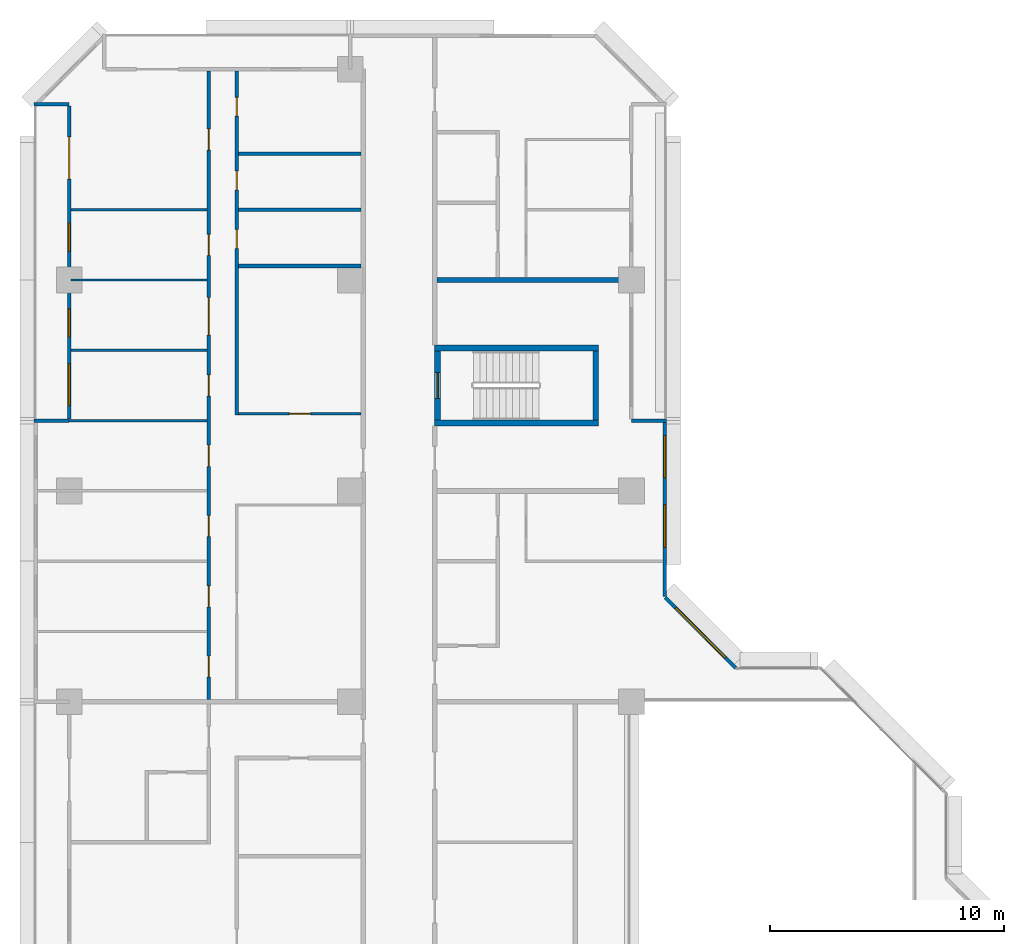
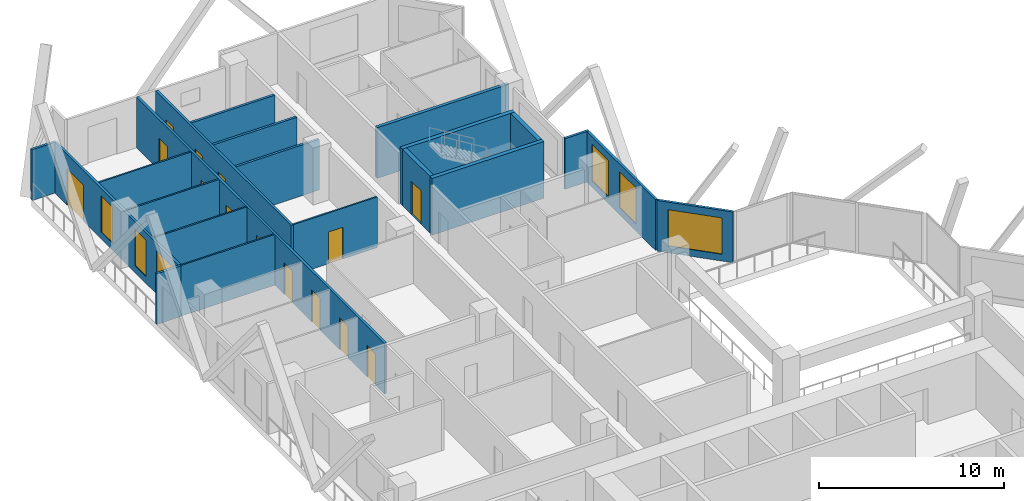
# One storey, part 9 of 15: 21 walls, 14 doors, 6 windows, 20 openings.
"""IFC4 building model written with IfcOpenShell, lengths in metres."""

import ifcopenshell
import ifcopenshell.guid

model = None  # the IFC model being written
_history = None  # IfcOwnerHistory: only IFC2X3 demands one
_inside = {}  # id of a spatial element -> (the spatial element, [elements in it])
_under = {}  # id of a project, library or spatial element -> (it, [spatial elements below it])
_declared = {}  # id of a project -> (the project, [libraries it declares])
_typed = {}  # id of a type object -> (the type object, [elements of that type])
_made_of = {}  # id of a material, layer set ... -> (it, [elements and type objects made of it])


def new_model(schema):
    """Start an empty IFC model of exactly this schema.

    Asked for "IFC4X3", IfcOpenShell would pick the latest addendum, in which some entities
    have other attributes; the version numbers below select the first issue.
    IFC2X3 requires an IfcOwnerHistory on every rooted entity: one is made here for all.
    """
    global model, _history
    if schema == "IFC4X3":
        model = ifcopenshell.file(schema_version=(4, 3, 0, 0))
    else:
        model = ifcopenshell.file(schema=schema)
    _inside.clear()
    _under.clear()
    _declared.clear()
    _typed.clear()
    _made_of.clear()
    _history = None
    if model.schema == "IFC2X3":
        org = make("IfcOrganization", Name="unknown")
        user = make(
            "IfcPersonAndOrganization",
            ThePerson=make("IfcPerson", FamilyName="unknown"),
            TheOrganization=org,
        )
        app = make(
            "IfcApplication",
            ApplicationDeveloper=org,
            Version="unknown",
            ApplicationFullName="unknown",
            ApplicationIdentifier="unknown",
        )
        _history = make(
            "IfcOwnerHistory",
            OwningUser=user,
            OwningApplication=app,
            ChangeAction="ADDED",
            CreationDate=0,
        )
    return model


def make(cls, **values):
    """One entity of the class cls with the attributes given. An attribute that is None is left unset."""
    return model.create_entity(
        cls, **{name: value for name, value in values.items() if value is not None}
    )


def rooted(cls, **values):
    """An entity with a GlobalId (a new one), such as an element, a storey or a relation."""
    return make(cls, GlobalId=ifcopenshell.guid.new(), OwnerHistory=_history, **values)


def si_unit(unit_type, name, prefix=None):
    """IfcSIUnit, for example si_unit("LENGTHUNIT", "METRE", prefix="MILLI")."""
    return make("IfcSIUnit", UnitType=unit_type, Prefix=prefix, Name=name)


def assignment(units):
    """IfcUnitAssignment: the units of a project."""
    return None if units is None else make("IfcUnitAssignment", Units=units)


def point(xyz):
    """IfcCartesianPoint."""
    return None if xyz is None else make("IfcCartesianPoint", Coordinates=xyz)


def direction(xyz):
    """IfcDirection."""
    return None if xyz is None else make("IfcDirection", DirectionRatios=xyz)


def frame(location, z_axis=None, x_axis=None):
    """IfcAxis2Placement3D, a coordinate frame: its origin and axes. An axis left out is left unset."""
    return make(
        "IfcAxis2Placement3D",
        Location=point(location),
        Axis=direction(z_axis),
        RefDirection=direction(x_axis),
    )


def frame_2d(location, x_axis=None):
    """IfcAxis2Placement2D, a coordinate frame in the plane: its origin and x axis."""
    return make(
        "IfcAxis2Placement2D", Location=point(location), RefDirection=direction(x_axis)
    )


def origin():
    """The frame at (0, 0, 0) with its axes left unset."""
    return frame((0.0, 0.0, 0.0))


def place(relative_to, where):
    """IfcLocalPlacement: puts the frame where relative to a parent placement (None: the world)."""
    return make(
        "IfcLocalPlacement", PlacementRelTo=relative_to, RelativePlacement=where
    )


def context(
    kind, dimensions, precision=None, world=None, true_north=None, identifier=None
):
    """IfcGeometricRepresentationContext, for example the 3D "Model" context."""
    return make(
        "IfcGeometricRepresentationContext",
        ContextIdentifier=identifier,
        ContextType=kind,
        CoordinateSpaceDimension=dimensions,
        Precision=precision,
        WorldCoordinateSystem=world,
        TrueNorth=true_north,
    )


def subcontext(parent, identifier, kind, view, scale=None):
    """IfcGeometricRepresentationSubContext, for example "Body" below "Model"."""
    return make(
        "IfcGeometricRepresentationSubContext",
        ContextIdentifier=identifier,
        ContextType=kind,
        ParentContext=parent,
        TargetScale=scale,
        TargetView=view,
    )


def project(units=None, contexts=None):
    """IfcProject with its units and contexts."""
    return rooted(
        "IfcProject",
        Name="project",
        RepresentationContexts=contexts,
        UnitsInContext=assignment(units),
    )


def spatial(cls, under=None, at=None, **own):
    """A site, building, storey or space (cls), placed at a placement, below another one or the project."""
    s = rooted(cls, ObjectPlacement=at, **own)
    if under is not None:
        _under.setdefault(under.id(), (under, []))[1].append(s)
    return s


def profile(cls, at=None, kind="AREA", **sizes):
    """A parametric profile (cls). Its sizes go by their IFC names, for example OverallWidth=200.0."""
    return make(cls, ProfileType=kind, Position=at, **sizes)


def rectangle(**sizes):
    """IfcRectangleProfileDef."""
    return profile("IfcRectangleProfileDef", **sizes)


def extrude(swept, where, along, depth):
    """IfcExtrudedAreaSolid: the profile swept, set in the frame where, extruded along a direction by depth."""
    return make(
        "IfcExtrudedAreaSolid",
        SweptArea=swept,
        Position=where,
        ExtrudedDirection=direction(along),
        Depth=depth,
    )


def shape(context_of_items, identifier, shape_type, items):
    """IfcShapeRepresentation: the items that make up one representation, for example the "Body"."""
    return make(
        "IfcShapeRepresentation",
        ContextOfItems=context_of_items,
        RepresentationIdentifier=identifier,
        RepresentationType=shape_type,
        Items=items,
    )


def material(Name=None, Category=None):
    """IfcMaterial."""
    return make("IfcMaterial", Name=Name, Category=Category)


def layer(
    of_material, thickness, ventilated=None, Name=None, Category=None, Priority=None
):
    """IfcMaterialLayer: one layer of a wall or slab, of a material (None: an air gap)."""
    return make(
        "IfcMaterialLayer",
        Material=of_material,
        LayerThickness=thickness,
        IsVentilated=ventilated,
        Name=Name,
        Category=Category,
        Priority=Priority,
    )


def layer_set(layers, Name=None):
    """IfcMaterialLayerSet."""
    return make("IfcMaterialLayerSet", MaterialLayers=layers, LayerSetName=Name)


def made_of(thing, what):
    """Note that an element or type object is made of a material, layer set ...; save() writes the relation."""
    if what is not None:
        _made_of.setdefault(what.id(), (what, []))[1].append(thing)
    return thing


def type_object(cls, material=None, **own):
    """A type object (cls), such as IfcWallType, which elements share."""
    return made_of(rooted(cls, **own), material)


def element(
    cls,
    number,
    at=None,
    inside=None,
    cuts=None,
    type_object=None,
    material=None,
    context=None,
    identifier="Body",
    shape_type=None,
    held_by="IfcProductDefinitionShape",
    body=None,
    shapes=None,
    **own,
):
    """One element of the class cls, such as IfcWall. Its Tag is "e" and its number.

    at: its placement. inside: the storey or other place that contains it. cuts: it is an
    opening in that element (IfcRelVoidsElement). A single representation is given by context,
    identifier, shape_type and body (its items); several are given by shapes. held_by: the class
    of the entity that holds the representations. save() writes the other relations.
    """
    e = rooted(cls, Tag="e%d" % number, ObjectPlacement=at, **own)
    if body is not None:
        shapes = [shape(context, identifier, shape_type, body)]
    if shapes is not None:
        e.Representation = make(held_by, Representations=shapes)
    if inside is not None:
        _inside.setdefault(inside.id(), (inside, []))[1].append(e)
    if cuts is not None:
        rooted(
            "IfcRelVoidsElement", RelatingBuildingElement=cuts, RelatedOpeningElement=e
        )
    if type_object is not None:
        _typed.setdefault(type_object.id(), (type_object, []))[1].append(e)
    return made_of(e, material)


def fill(opening, filler):
    """IfcRelFillsElement: the door or window that sits in an opening."""
    return rooted(
        "IfcRelFillsElement",
        RelatingOpeningElement=opening,
        RelatedBuildingElement=filler,
    )


def aggregate(whole, parts):
    """IfcRelAggregates: a whole, such as a stair, and the parts it consists of."""
    return rooted("IfcRelAggregates", RelatingObject=whole, RelatedObjects=parts)


def save(model, path):
    """Write the relations noted so far, then the file.

    IfcRelAggregates (storeys below a building ...), IfcRelContainedInSpatialStructure (elements
    in a storey), IfcRelDefinesByType, IfcRelAssociatesMaterial and IfcRelDeclares: one each for
    every whole, place, type object, material and project.
    """
    for whole, parts in _under.values():
        aggregate(whole, parts)
    for where, things in _inside.values():
        rooted(
            "IfcRelContainedInSpatialStructure",
            RelatedElements=things,
            RelatingStructure=where,
        )
    for kind, things in _typed.values():
        rooted("IfcRelDefinesByType", RelatedObjects=things, RelatingType=kind)
    for what, things in _made_of.values():
        rooted("IfcRelAssociatesMaterial", RelatedObjects=things, RelatingMaterial=what)
    for by, libraries in _declared.values():
        rooted("IfcRelDeclares", RelatingContext=by, RelatedDefinitions=libraries)
    model.write(path)


model = new_model("IFC4")

# Units and contexts
model_context = context("Model", 3, precision=1e-05, world=origin(), true_north=direction((0.0, 1.0)))
body_context = subcontext(model_context, "Body", "Model", "MODEL_VIEW")
ifc_project = project(units=[si_unit("LENGTHUNIT", "METRE"), si_unit("AREAUNIT", "SQUARE_METRE"), si_unit("VOLUMEUNIT", "CUBIC_METRE"), si_unit("PLANEANGLEUNIT", "RADIAN"), si_unit("MASSUNIT", "GRAM", prefix="KILO")], contexts=[model_context])

# Site, building, storey
site_placement = place(None, origin())
site = spatial("IfcSite", under=ifc_project, at=site_placement, CompositionType="ELEMENT")
building_placement = place(site_placement, origin())
building = spatial("IfcBuilding", under=site, at=building_placement, Name="Chenar Terraces", CompositionType="ELEMENT")
storey_placement = place(building_placement, frame((0.0, 0.0, 63.89990234375)))
storey = spatial("IfcBuildingStorey", under=building, at=storey_placement, Name="L13", CompositionType="ELEMENT", Elevation=63.89990234375)

# Walls
ifc_material_1 = material(Name="Concrete C70/85", Category="concrete")
ifc_layer_1 = layer(ifc_material_1, 0.25)
ifc_layer_set_1 = layer_set([ifc_layer_1], Name="Concrete C70/85")
wall_type_1 = type_object("IfcWallType", Name="Core wall 250 Concrete C70/85", PredefinedType="SHEAR", material=ifc_layer_set_1)
for number, where, z_axis, x_axis, name in (
    (1, (15.60009765625, 47.89990234375, 0.0), (0.0, 0.0, 1.0), (1.0, 0.0, 0.0), "Core wall ST4_S L13"),
    (2, (15.60009765625, 51.10009765625, 0.0), (0.0, 0.0, 1.0), (1.0, 0.0, 0.0), "Core wall ST4_N L13"),
):
    element("IfcWall", number, at=place(storey_placement, frame(where, z_axis=z_axis, x_axis=x_axis)), inside=storey, type_object=wall_type_1, Name=name, PredefinedType="SHEAR", context=body_context, shape_type="SweptSolid", body=[
        extrude(rectangle(XDim=7.0, YDim=0.25, at=frame_2d((3.5, 0.0))), origin(), (0.0, 0.0, 1.0), 3.75),
    ])

# Wall, opening, door
wall_1_placement = place(storey_placement, frame((15.72509765625, 48.02490234375, 0.0), z_axis=(0.0, 0.0, 1.0), x_axis=(0.0, 1.0, 0.0)))
wall_1 = element("IfcWall", 3, at=wall_1_placement, inside=storey, type_object=wall_type_1, Name="Core wall ST4_W L13", PredefinedType="SHEAR", context=body_context, shape_type="SweptSolid", body=[
    extrude(rectangle(XDim=2.9501953125, YDim=0.25, at=frame_2d((1.47509765625, 0.0))), origin(), (0.0, 0.0, 1.0), 3.75),
])
opening_1_placement = place(wall_1_placement, frame((0.925048828125, 0.0, 0.0)))
opening_1 = element("IfcOpeningElement", 4, at=opening_1_placement, cuts=wall_1, Name="Opening DL13-C9", PredefinedType="OPENING", context=body_context, shape_type="SweptSolid", body=[
    extrude(rectangle(XDim=1.10009765625, YDim=2.199951171875, at=frame_2d((0.550048828125, 1.10009765625))), frame((0.0, 0.135009765625, 0.0), z_axis=(0.0, -1.0, 0.0), x_axis=(1.0, 0.0, 0.0)), (0.0, 0.0, 1.0), 0.27001953125),
])
ifc_material_2 = material(Name="Steel-framed fire-resisting door leaf", Category="steel")
door_type_1 = type_object("IfcDoorType", Name="Stair fire door FD60 1100 x 2200", OperationType="SINGLE_SWING_LEFT", PredefinedType="DOOR", material=ifc_material_2)
door_1_placement = place(opening_1_placement, frame((1.10009765625, 0.0, 0.0), z_axis=(0.0, 0.0, 1.0), x_axis=(-1.0, 0.0, 0.0)))
door_1 = element("IfcDoor", 5, at=door_1_placement, inside=storey, type_object=door_type_1, Name="Stair door DL13-C9", OperationType="SINGLE_SWING_RIGHT", OverallHeight=2.199951171875, OverallWidth=1.10009765625, PredefinedType="DOOR", context=body_context, shape_type="SweptSolid", body=[
    extrude(rectangle(XDim=1.10009765625, YDim=2.199951171875, at=frame_2d((0.550048828125, 1.10009765625))), frame((0.0, 0.02490234375, 0.0), z_axis=(0.0, -1.0, 0.0), x_axis=(1.0, 0.0, 0.0)), (0.0, 0.0, 1.0), 0.050048828125),
])
fill(opening_1, door_1)

# Wall
wall_2_placement = place(storey_placement, frame((22.47509765625, 48.02490234375, 0.0), z_axis=(0.0, 0.0, 1.0), x_axis=(0.0, 1.0, 0.0)))
element("IfcWall", 6, at=wall_2_placement, inside=storey, type_object=wall_type_1, Name="Core wall ST4_E L13", PredefinedType="SHEAR", context=body_context, shape_type="SweptSolid", body=[
    extrude(rectangle(XDim=2.9501953125, YDim=0.25, at=frame_2d((1.47509765625, 0.0))), origin(), (0.0, 0.0, 1.0), 3.75),
])

# Wall, openings, windows
ifc_material_3 = material(Name="Aluminium framed glazing", Category="aluminium")
ifc_layer_2 = layer(ifc_material_3, 0.14990234375)
ifc_layer_set_2 = layer_set([ifc_layer_2], Name="Aluminium framed glazing")
wall_type_2 = type_object("IfcWallType", Name="Glazed flush facade wall 150", PredefinedType="SOLIDWALL", material=ifc_layer_set_2)
wall_3_placement = place(storey_placement, frame((25.425048828125, 40.5, 0.0), z_axis=(0.0, 0.0, 1.0), x_axis=(0.0, 1.0, 0.0)))
wall_3 = element("IfcWall", 7, at=wall_3_placement, inside=storey, type_object=wall_type_2, Name="Glazed flush facade wall", PredefinedType="SOLIDWALL", context=body_context, shape_type="SweptSolid", body=[
    extrude(rectangle(XDim=7.425048828125, YDim=0.14990234375, at=frame_2d((3.71240234375, 0.0))), origin(), (0.0, 0.0, 1.0), 3.35009765625),
])
opening_2_placement = place(wall_3_placement, frame((2.10009765625, 0.0, 0.449951171875)))
opening_2 = element("IfcOpeningElement", 8, at=opening_2_placement, cuts=wall_3, Name="Opening W180x240", PredefinedType="OPENING", context=body_context, shape_type="SweptSolid", body=[
    extrude(rectangle(XDim=1.800048828125, YDim=2.39990234375, at=frame_2d((0.89990234375, 1.199951171875))), frame((0.0, 0.0849609375, 0.0), z_axis=(0.0, -1.0, 0.0), x_axis=(1.0, 0.0, 0.0)), (0.0, 0.0, 1.0), 0.169921875),
])
opening_3_placement = place(wall_3_placement, frame((5.0625, 0.0, 0.449951171875)))
opening_3 = element("IfcOpeningElement", 9, at=opening_3_placement, cuts=wall_3, Name="Opening W180x240", PredefinedType="OPENING", context=body_context, shape_type="SweptSolid", body=[
    extrude(rectangle(XDim=1.800048828125, YDim=2.39990234375, at=frame_2d((0.89990234375, 1.199951171875))), frame((0.0, 0.0849609375, 0.0), z_axis=(0.0, -1.0, 0.0), x_axis=(1.0, 0.0, 0.0)), (0.0, 0.0, 1.0), 0.169921875),
])
ifc_material_4 = material(Name="Low emissivity double glazing, aluminium frame", Category="aluminium")
window_type_1 = type_object("IfcWindowType", Name="Fixed light 1800 x 2400", PartitioningType="SINGLE_PANEL", PredefinedType="WINDOW", material=ifc_material_4)
window_1_placement = place(opening_2_placement, origin())
window_1 = element("IfcWindow", 10, at=window_1_placement, inside=storey, type_object=window_type_1, Name="Window", OverallHeight=2.39990234375, OverallWidth=1.800048828125, PartitioningType="SINGLE_PANEL", PredefinedType="WINDOW", context=body_context, shape_type="SweptSolid", body=[
    extrude(rectangle(XDim=1.800048828125, YDim=2.39990234375, at=frame_2d((0.89990234375, 1.199951171875))), frame((0.0, 0.030029296875, 0.0), z_axis=(0.0, -1.0, 0.0), x_axis=(1.0, 0.0, 0.0)), (0.0, 0.0, 1.0), 0.06005859375),
])
fill(opening_2, window_1)
window_2_placement = place(opening_3_placement, origin())
window_2 = element("IfcWindow", 11, at=window_2_placement, inside=storey, type_object=window_type_1, Name="Window", OverallHeight=2.39990234375, OverallWidth=1.800048828125, PartitioningType="SINGLE_PANEL", PredefinedType="WINDOW", context=body_context, shape_type="SweptSolid", body=[
    extrude(rectangle(XDim=1.800048828125, YDim=2.39990234375, at=frame_2d((0.89990234375, 1.199951171875))), frame((0.0, 0.030029296875, 0.0), z_axis=(0.0, -1.0, 0.0), x_axis=(1.0, 0.0, 0.0)), (0.0, 0.0, 1.0), 0.06005859375),
])
fill(opening_3, window_2)

# Wall, openings, windows, door
ifc_material_5 = material(Name="Aluminium framed glazing", Category="aluminium")
ifc_layer_3 = layer(ifc_material_5, 0.14990234375)
ifc_layer_set_3 = layer_set([ifc_layer_3], Name="Aluminium framed glazing")
wall_type_3 = type_object("IfcWallType", Name="Glazed loggia back wall 150", PredefinedType="SOLIDWALL", material=ifc_layer_set_3)
wall_4_placement = place(storey_placement, frame((0.0, 61.425048828125, 0.0), z_axis=(0.0, 0.0, 1.0), x_axis=(0.0, -1.0, 0.0)))
wall_4 = element("IfcWall", 12, at=wall_4_placement, inside=storey, type_object=wall_type_3, Name="Glazed loggia back wall", PredefinedType="SOLIDWALL", context=body_context, shape_type="SweptSolid", body=[
    extrude(rectangle(XDim=13.35009765625, YDim=0.14990234375, at=frame_2d((6.675048828125, 0.0))), origin(), (0.0, 0.0, 1.0), 3.35009765625),
])
opening_4_placement = place(wall_4_placement, frame((1.3125, 0.0, 0.0)))
opening_4 = element("IfcOpeningElement", 13, at=opening_4_placement, cuts=wall_4, Name="Opening DL13-G3", PredefinedType="OPENING", context=body_context, shape_type="SweptSolid", body=[
    extrude(rectangle(XDim=1.800048828125, YDim=2.39990234375, at=frame_2d((0.89990234375, 1.199951171875))), frame((0.0, 0.0849609375, 0.0), z_axis=(0.0, -1.0, 0.0), x_axis=(1.0, 0.0, 0.0)), (0.0, 0.0, 1.0), 0.169921875),
])
opening_5_placement = place(wall_4_placement, frame((5.0, 0.0, 0.449951171875)))
opening_5 = element("IfcOpeningElement", 14, at=opening_5_placement, cuts=wall_4, Name="Opening W120x240", PredefinedType="OPENING", context=body_context, shape_type="SweptSolid", body=[
    extrude(rectangle(XDim=1.199951171875, YDim=2.39990234375, at=frame_2d((0.60009765625, 1.199951171875))), frame((0.0, 0.0849609375, 0.0), z_axis=(0.0, -1.0, 0.0), x_axis=(1.0, 0.0, 0.0)), (0.0, 0.0, 1.0), 0.169921875),
])
opening_6_placement = place(wall_4_placement, frame((8.64990234375, 0.0, 0.449951171875)))
opening_6 = element("IfcOpeningElement", 15, at=opening_6_placement, cuts=wall_4, Name="Opening W120x240", PredefinedType="OPENING", context=body_context, shape_type="SweptSolid", body=[
    extrude(rectangle(XDim=1.199951171875, YDim=2.39990234375, at=frame_2d((0.60009765625, 1.199951171875))), frame((0.0, 0.0849609375, 0.0), z_axis=(0.0, -1.0, 0.0), x_axis=(1.0, 0.0, 0.0)), (0.0, 0.0, 1.0), 0.169921875),
])
opening_7_placement = place(wall_4_placement, frame((10.987548828125, 0.0, 0.449951171875)))
opening_7 = element("IfcOpeningElement", 16, at=opening_7_placement, cuts=wall_4, Name="Opening W180x240", PredefinedType="OPENING", context=body_context, shape_type="SweptSolid", body=[
    extrude(rectangle(XDim=1.800048828125, YDim=2.39990234375, at=frame_2d((0.89990234375, 1.199951171875))), frame((0.0, 0.0849609375, 0.0), z_axis=(0.0, -1.0, 0.0), x_axis=(1.0, 0.0, 0.0)), (0.0, 0.0, 1.0), 0.169921875),
])
ifc_material_6 = material(Name="Low emissivity double glazing, aluminium frame", Category="aluminium")
window_type_2 = type_object("IfcWindowType", Name="Fixed light 1200 x 2400", PartitioningType="SINGLE_PANEL", PredefinedType="WINDOW", material=ifc_material_6)
window_3_placement = place(opening_5_placement, origin())
window_3 = element("IfcWindow", 17, at=window_3_placement, inside=storey, type_object=window_type_2, Name="Window", OverallHeight=2.39990234375, OverallWidth=1.199951171875, PartitioningType="SINGLE_PANEL", PredefinedType="WINDOW", context=body_context, shape_type="SweptSolid", body=[
    extrude(rectangle(XDim=1.199951171875, YDim=2.39990234375, at=frame_2d((0.60009765625, 1.199951171875))), frame((0.0, 0.030029296875, 0.0), z_axis=(0.0, -1.0, 0.0), x_axis=(1.0, 0.0, 0.0)), (0.0, 0.0, 1.0), 0.06005859375),
])
fill(opening_5, window_3)
window_4_placement = place(opening_6_placement, origin())
window_4 = element("IfcWindow", 18, at=window_4_placement, inside=storey, type_object=window_type_2, Name="Window", OverallHeight=2.39990234375, OverallWidth=1.199951171875, PartitioningType="SINGLE_PANEL", PredefinedType="WINDOW", context=body_context, shape_type="SweptSolid", body=[
    extrude(rectangle(XDim=1.199951171875, YDim=2.39990234375, at=frame_2d((0.60009765625, 1.199951171875))), frame((0.0, 0.030029296875, 0.0), z_axis=(0.0, -1.0, 0.0), x_axis=(1.0, 0.0, 0.0)), (0.0, 0.0, 1.0), 0.06005859375),
])
fill(opening_6, window_4)
window_5_placement = place(opening_7_placement, origin())
window_5 = element("IfcWindow", 19, at=window_5_placement, inside=storey, type_object=window_type_1, Name="Window", OverallHeight=2.39990234375, OverallWidth=1.800048828125, PartitioningType="SINGLE_PANEL", PredefinedType="WINDOW", context=body_context, shape_type="SweptSolid", body=[
    extrude(rectangle(XDim=1.800048828125, YDim=2.39990234375, at=frame_2d((0.89990234375, 1.199951171875))), frame((0.0, 0.030029296875, 0.0), z_axis=(0.0, -1.0, 0.0), x_axis=(1.0, 0.0, 0.0)), (0.0, 0.0, 1.0), 0.06005859375),
])
fill(opening_7, window_5)
ifc_material_7 = material(Name="Low emissivity double glazing, aluminium frame", Category="aluminium")
door_type_2 = type_object("IfcDoorType", Name="Loggia glazed double door 1800 x 2400", OperationType="DOUBLE_DOOR_SINGLE_SWING", PredefinedType="DOOR", material=ifc_material_7)
door_2_placement = place(opening_4_placement, frame((1.800048828125, 0.0, 0.0), z_axis=(0.0, 0.0, 1.0), x_axis=(-1.0, 0.0, 0.0)))
door_2 = element("IfcDoor", 20, at=door_2_placement, inside=storey, type_object=door_type_2, Name="Loggia glazed door", OperationType="DOUBLE_DOOR_SINGLE_SWING", OverallHeight=2.39990234375, OverallWidth=1.800048828125, PredefinedType="DOOR", context=body_context, shape_type="SweptSolid", body=[
    extrude(rectangle(XDim=1.800048828125, YDim=2.39990234375, at=frame_2d((0.89990234375, 1.199951171875))), frame((0.0, 0.02490234375, 0.0), z_axis=(0.0, -1.0, 0.0), x_axis=(1.0, 0.0, 0.0)), (0.0, 0.0, 1.0), 0.050048828125),
])
fill(opening_4, door_2)

# Walls
ifc_material_8 = material(Name="Gypsum board on steel studs", Category="steel")
ifc_layer_4 = layer(ifc_material_8, 0.10009765625)
ifc_layer_set_4 = layer_set([ifc_layer_4], Name="Gypsum board on steel studs")
wall_type_4 = type_object("IfcWallType", Name="Gypsum partition 100", PredefinedType="PARTITIONING", material=ifc_layer_set_4)
wall_5_placement = place(storey_placement, frame((0.0, 48.0, 0.0), z_axis=(0.0, 0.0, 1.0), x_axis=(1.0, 0.0, 0.0)))
element("IfcWall", 21, at=wall_5_placement, inside=storey, type_object=wall_type_4, Name="Partition L13-007", PredefinedType="PARTITIONING", context=body_context, shape_type="SweptSolid", body=[
    extrude(rectangle(XDim=5.875, YDim=0.10009765625, at=frame_2d((2.9375, 0.0))), origin(), (0.0, 0.0, 1.0), 3.35009765625),
])
for number, where, z_axis, x_axis, name in (
    (22, (0.073974609375, 51.0, 0.0), (0.0, 0.0, 1.0), (1.0, 0.0, 0.0), "Partition L13-009"),
    (23, (0.073974609375, 54.0, 0.0), (0.0, 0.0, 1.0), (1.0, 0.0, 0.0), "Partition L13-010"),
    (24, (0.073974609375, 57.0, 0.0), (0.0, 0.0, 1.0), (1.0, 0.0, 0.0), "Partition L13-011"),
):
    element("IfcWall", number, at=place(storey_placement, frame(where, z_axis=z_axis, x_axis=x_axis)), inside=storey, type_object=wall_type_4, Name=name, PredefinedType="PARTITIONING", context=body_context, shape_type="SweptSolid", body=[
        extrude(rectangle(XDim=5.801025390625, YDim=0.10009765625, at=frame_2d((2.900390625, 0.0))), origin(), (0.0, 0.0, 1.0), 3.35009765625),
    ])

# Wall, opening, door
wall_6_placement = place(storey_placement, frame((7.22509765625, 48.300048828125, 0.0), z_axis=(0.0, 0.0, 1.0), x_axis=(1.0, 0.0, 0.0)))
wall_6 = element("IfcWall", 25, at=wall_6_placement, inside=storey, type_object=wall_type_4, Name="Partition L13-023", PredefinedType="PARTITIONING", context=body_context, shape_type="SweptSolid", body=[
    extrude(rectangle(XDim=5.224853515625, YDim=0.10009765625, at=frame_2d((2.6123046875, 0.0))), origin(), (0.0, 0.0, 1.0), 3.35009765625),
])
opening_8_placement = place(wall_6_placement, frame((2.175048828125, 0.0, 0.0)))
opening_8 = element("IfcOpeningElement", 26, at=opening_8_placement, cuts=wall_6, Name="Opening DL13-37", PredefinedType="OPENING", context=body_context, shape_type="SweptSolid", body=[
    extrude(rectangle(XDim=0.89990234375, YDim=2.10009765625, at=frame_2d((0.449951171875, 1.050048828125))), frame((0.0, 0.06005859375, 0.0), z_axis=(0.0, -1.0, 0.0), x_axis=(1.0, 0.0, 0.0)), (0.0, 0.0, 1.0), 0.1201171875),
])
ifc_material_9 = material(Name="Veneered timber door leaf", Category="wood")
door_type_3 = type_object("IfcDoorType", Name="Door 900 x 2100", OperationType="SINGLE_SWING_LEFT", PredefinedType="DOOR", material=ifc_material_9)
door_3_placement = place(opening_8_placement, origin())
door_3 = element("IfcDoor", 27, at=door_3_placement, inside=storey, type_object=door_type_3, Name="Door DL13-37", OperationType="SINGLE_SWING_RIGHT", OverallHeight=2.10009765625, OverallWidth=0.89990234375, PredefinedType="DOOR", context=body_context, shape_type="SweptSolid", body=[
    extrude(rectangle(XDim=0.89990234375, YDim=2.10009765625, at=frame_2d((0.449951171875, 1.050048828125))), frame((0.0, 0.02490234375, 0.0), z_axis=(0.0, -1.0, 0.0), x_axis=(1.0, 0.0, 0.0)), (0.0, 0.0, 1.0), 0.050048828125),
])
fill(opening_8, door_3)

# Walls
ifc_material_10 = material(Name="Terracotta cladding on insulated backing", Category="masonry")
ifc_layer_5 = layer(ifc_material_10, 0.14990234375)
ifc_layer_set_5 = layer_set([ifc_layer_5], Name="Terracotta cladding on insulated backing")
wall_type_5 = type_object("IfcWallType", Name="Loggia return wall 150", PredefinedType="SOLIDWALL", material=ifc_layer_set_5)
for number, where, z_axis, x_axis, name in (
    (28, (25.5, 48.0, 0.0), (0.0, 0.0, 1.0), (-1.0, 0.0, 0.0), "Loggia return wall"),
    (29, (-1.5, 61.5, 0.0), (0.0, 0.0, 1.0), (1.0, 0.0, 0.0), "Loggia return wall"),
    (30, (-1.5, 48.0, 0.0), (0.0, 0.0, 1.0), (1.0, 0.0, 0.0), "Loggia return wall"),
):
    element("IfcWall", number, at=place(storey_placement, frame(where, z_axis=z_axis, x_axis=x_axis)), inside=storey, type_object=wall_type_5, Name=name, PredefinedType="SOLIDWALL", context=body_context, shape_type="SweptSolid", body=[
        extrude(rectangle(XDim=1.5, YDim=0.14990234375, at=frame_2d((0.75, 0.0))), origin(), (0.0, 0.0, 1.0), 3.35009765625),
    ])

# Wall, opening, window
ifc_material_11 = material(Name="Terracotta cladding on insulated backing", Category="masonry")
ifc_layer_6 = layer(ifc_material_11, 0.14990234375)
ifc_layer_set_6 = layer_set([ifc_layer_6], Name="Terracotta cladding on insulated backing")
wall_type_6 = type_object("IfcWallType", Name="Terracotta rainscreen wall 150", PredefinedType="SOLIDWALL", material=ifc_layer_set_6)
wall_7_placement = place(storey_placement, frame((28.447021484375, 37.447021484375, 0.0), z_axis=(0.0, 0.0, 1.0), x_axis=(-0.707106781187, 0.707106781187, 0.0)))
wall_7 = element("IfcWall", 31, at=wall_7_placement, inside=storey, type_object=wall_type_6, Name="Terracotta rainscreen wall", PredefinedType="SOLIDWALL", context=body_context, shape_type="SweptSolid", body=[
    extrude(rectangle(XDim=4.24267578125, YDim=0.14990234375, at=frame_2d((2.121337890625, 0.0))), origin(), (0.0, 0.0, 1.0), 3.35009765625),
])
opening_9_placement = place(wall_7_placement, frame((0.621337890625, 0.0, 0.449951171875)))
opening_9 = element("IfcOpeningElement", 32, at=opening_9_placement, cuts=wall_7, Name="Opening W300x240", PredefinedType="OPENING", context=body_context, shape_type="SweptSolid", body=[
    extrude(rectangle(XDim=3.0, YDim=2.39990234375, at=frame_2d((1.5, 1.199951171875))), frame((0.0, 0.0849609375, 0.0), z_axis=(0.0, -1.0, 0.0), x_axis=(1.0, 0.0, 0.0)), (0.0, 0.0, 1.0), 0.169921875),
])
ifc_material_12 = material(Name="Low emissivity double glazing, aluminium frame", Category="aluminium")
window_type_3 = type_object("IfcWindowType", Name="Fixed light 3000 x 2400", PartitioningType="SINGLE_PANEL", PredefinedType="WINDOW", material=ifc_material_12)
window_6_placement = place(opening_9_placement, origin())
window_6 = element("IfcWindow", 33, at=window_6_placement, inside=storey, type_object=window_type_3, Name="Window", OverallHeight=2.39990234375, OverallWidth=3.0, PartitioningType="SINGLE_PANEL", PredefinedType="WINDOW", context=body_context, shape_type="SweptSolid", body=[
    extrude(rectangle(XDim=3.0, YDim=2.39990234375, at=frame_2d((1.5, 1.199951171875))), frame((0.0, 0.030029296875, 0.0), z_axis=(0.0, -1.0, 0.0), x_axis=(1.0, 0.0, 0.0)), (0.0, 0.0, 1.0), 0.06005859375),
])
fill(opening_9, window_6)

# Wall
ifc_material_13 = material(Name="Twin gypsum board on steel studs with mineral wool", Category="steel")
ifc_layer_7 = layer(ifc_material_13, 0.199951171875)
ifc_layer_set_7 = layer_set([ifc_layer_7], Name="Twin gypsum board on steel studs with mineral wool")
wall_type_7 = type_object("IfcWallType", Name="Unit demising wall 200", PredefinedType="PARTITIONING", material=ifc_layer_set_7)
wall_8_placement = place(storey_placement, frame((15.699951171875, 54.0, 0.0), z_axis=(0.0, 0.0, 1.0), x_axis=(1.0, 0.0, 0.0)))
element("IfcWall", 34, at=wall_8_placement, inside=storey, type_object=wall_type_7, Name="Partition L13-041", PredefinedType="PARTITIONING", context=body_context, shape_type="SweptSolid", body=[
    extrude(rectangle(XDim=8.22607421875, YDim=0.199951171875, at=frame_2d((4.113037109375, 0.0))), origin(), (0.0, 0.0, 1.0), 3.35009765625),
])

# Wall, openings, doors
ifc_material_14 = material(Name="Moisture-resistant gypsum board on steel studs", Category="steel")
ifc_layer_8 = layer(ifc_material_14, 0.14990234375)
ifc_layer_set_8 = layer_set([ifc_layer_8], Name="Moisture-resistant gypsum board on steel studs")
wall_type_8 = type_object("IfcWallType", Name="Wet-room partition 150", PredefinedType="PARTITIONING", material=ifc_layer_set_8)
wall_9_placement = place(storey_placement, frame((5.949951171875, 36.10009765625, 0.0), z_axis=(0.0, 0.0, 1.0), x_axis=(0.0, 1.0, 0.0)))
wall_9 = element("IfcWall", 35, at=wall_9_placement, inside=storey, type_object=wall_type_8, Name="Partition L13-016", PredefinedType="PARTITIONING", context=body_context, shape_type="SweptSolid", body=[
    extrude(rectangle(XDim=26.825927734375, YDim=0.14990234375, at=frame_2d((13.4130859375, 0.0))), origin(), (0.0, 0.0, 1.0), 3.35009765625),
])
opening_10_placement = place(wall_9_placement, frame((0.949951171875, 0.0, 0.0)))
opening_10 = element("IfcOpeningElement", 36, at=opening_10_placement, cuts=wall_9, Name="Opening DL13-30", PredefinedType="OPENING", context=body_context, shape_type="SweptSolid", body=[
    extrude(rectangle(XDim=0.89990234375, YDim=2.10009765625, at=frame_2d((0.449951171875, 1.050048828125))), frame((0.0, 0.0849609375, 0.0), z_axis=(0.0, -1.0, 0.0), x_axis=(1.0, 0.0, 0.0)), (0.0, 0.0, 1.0), 0.169921875),
])
opening_11_placement = place(wall_9_placement, frame((3.949951171875, 0.0, 0.0)))
opening_11 = element("IfcOpeningElement", 37, at=opening_11_placement, cuts=wall_9, Name="Opening DL13-31", PredefinedType="OPENING", context=body_context, shape_type="SweptSolid", body=[
    extrude(rectangle(XDim=0.89990234375, YDim=2.10009765625, at=frame_2d((0.449951171875, 1.050048828125))), frame((0.0, 0.0849609375, 0.0), z_axis=(0.0, -1.0, 0.0), x_axis=(1.0, 0.0, 0.0)), (0.0, 0.0, 1.0), 0.169921875),
])
opening_12_placement = place(wall_9_placement, frame((6.949951171875, 0.0, 0.0)))
opening_12 = element("IfcOpeningElement", 38, at=opening_12_placement, cuts=wall_9, Name="Opening DL13-32", PredefinedType="OPENING", context=body_context, shape_type="SweptSolid", body=[
    extrude(rectangle(XDim=0.89990234375, YDim=2.10009765625, at=frame_2d((0.449951171875, 1.050048828125))), frame((0.0, 0.0849609375, 0.0), z_axis=(0.0, -1.0, 0.0), x_axis=(1.0, 0.0, 0.0)), (0.0, 0.0, 1.0), 0.169921875),
])
opening_13_placement = place(wall_9_placement, frame((9.949951171875, 0.0, 0.0)))
opening_13 = element("IfcOpeningElement", 39, at=opening_13_placement, cuts=wall_9, Name="Opening DL13-33", PredefinedType="OPENING", context=body_context, shape_type="SweptSolid", body=[
    extrude(rectangle(XDim=0.89990234375, YDim=2.10009765625, at=frame_2d((0.449951171875, 1.050048828125))), frame((0.0, 0.0849609375, 0.0), z_axis=(0.0, -1.0, 0.0), x_axis=(1.0, 0.0, 0.0)), (0.0, 0.0, 1.0), 0.169921875),
])
opening_14_placement = place(wall_9_placement, frame((18.949951171875, 0.0, 0.0)))
opening_14 = element("IfcOpeningElement", 40, at=opening_14_placement, cuts=wall_9, Name="Opening DL13-34", PredefinedType="OPENING", context=body_context, shape_type="SweptSolid", body=[
    extrude(rectangle(XDim=0.89990234375, YDim=2.10009765625, at=frame_2d((0.449951171875, 1.050048828125))), frame((0.0, 0.0849609375, 0.0), z_axis=(0.0, -1.0, 0.0), x_axis=(1.0, 0.0, 0.0)), (0.0, 0.0, 1.0), 0.169921875),
])
opening_15_placement = place(wall_9_placement, frame((23.449951171875, 0.0, 0.0)))
opening_15 = element("IfcOpeningElement", 41, at=opening_15_placement, cuts=wall_9, Name="Opening DL13-39", PredefinedType="OPENING", context=body_context, shape_type="SweptSolid", body=[
    extrude(rectangle(XDim=0.89990234375, YDim=2.10009765625, at=frame_2d((0.449951171875, 1.050048828125))), frame((0.0, 0.0849609375, 0.0), z_axis=(0.0, -1.0, 0.0), x_axis=(1.0, 0.0, 0.0)), (0.0, 0.0, 1.0), 0.169921875),
])
opening_16_placement = place(wall_9_placement, frame((15.550048828125, 0.0, 0.0)))
opening_16 = element("IfcOpeningElement", 42, at=opening_16_placement, cuts=wall_9, Name="Opening DL13-40", PredefinedType="OPENING", context=body_context, shape_type="SweptSolid", body=[
    extrude(rectangle(XDim=1.60009765625, YDim=2.10009765625, at=frame_2d((0.800048828125, 1.050048828125))), frame((0.0, 0.0849609375, 0.0), z_axis=(0.0, -1.0, 0.0), x_axis=(1.0, 0.0, 0.0)), (0.0, 0.0, 1.0), 0.169921875),
])
opening_17_placement = place(wall_9_placement, frame((12.949951171875, 0.0, 0.0)))
opening_17 = element("IfcOpeningElement", 43, at=opening_17_placement, cuts=wall_9, Name="Opening DL13-41", PredefinedType="OPENING", context=body_context, shape_type="SweptSolid", body=[
    extrude(rectangle(XDim=0.89990234375, YDim=2.10009765625, at=frame_2d((0.449951171875, 1.050048828125))), frame((0.0, 0.0849609375, 0.0), z_axis=(0.0, -1.0, 0.0), x_axis=(1.0, 0.0, 0.0)), (0.0, 0.0, 1.0), 0.169921875),
])
door_4_placement = place(opening_10_placement, origin())
door_4 = element("IfcDoor", 44, at=door_4_placement, inside=storey, type_object=door_type_3, Name="Door DL13-30", OperationType="SINGLE_SWING_RIGHT", OverallHeight=2.10009765625, OverallWidth=0.89990234375, PredefinedType="DOOR", context=body_context, shape_type="SweptSolid", body=[
    extrude(rectangle(XDim=0.89990234375, YDim=2.10009765625, at=frame_2d((0.449951171875, 1.050048828125))), frame((0.0, 0.02490234375, 0.0), z_axis=(0.0, -1.0, 0.0), x_axis=(1.0, 0.0, 0.0)), (0.0, 0.0, 1.0), 0.050048828125),
])
fill(opening_10, door_4)
door_5_placement = place(opening_11_placement, origin())
door_5 = element("IfcDoor", 45, at=door_5_placement, inside=storey, type_object=door_type_3, Name="Door DL13-31", OperationType="SINGLE_SWING_RIGHT", OverallHeight=2.10009765625, OverallWidth=0.89990234375, PredefinedType="DOOR", context=body_context, shape_type="SweptSolid", body=[
    extrude(rectangle(XDim=0.89990234375, YDim=2.10009765625, at=frame_2d((0.449951171875, 1.050048828125))), frame((0.0, 0.02490234375, 0.0), z_axis=(0.0, -1.0, 0.0), x_axis=(1.0, 0.0, 0.0)), (0.0, 0.0, 1.0), 0.050048828125),
])
fill(opening_11, door_5)
door_6_placement = place(opening_12_placement, origin())
door_6 = element("IfcDoor", 46, at=door_6_placement, inside=storey, type_object=door_type_3, Name="Door DL13-32", OperationType="SINGLE_SWING_RIGHT", OverallHeight=2.10009765625, OverallWidth=0.89990234375, PredefinedType="DOOR", context=body_context, shape_type="SweptSolid", body=[
    extrude(rectangle(XDim=0.89990234375, YDim=2.10009765625, at=frame_2d((0.449951171875, 1.050048828125))), frame((0.0, 0.02490234375, 0.0), z_axis=(0.0, -1.0, 0.0), x_axis=(1.0, 0.0, 0.0)), (0.0, 0.0, 1.0), 0.050048828125),
])
fill(opening_12, door_6)
door_7_placement = place(opening_13_placement, origin())
door_7 = element("IfcDoor", 47, at=door_7_placement, inside=storey, type_object=door_type_3, Name="Door DL13-33", OperationType="SINGLE_SWING_RIGHT", OverallHeight=2.10009765625, OverallWidth=0.89990234375, PredefinedType="DOOR", context=body_context, shape_type="SweptSolid", body=[
    extrude(rectangle(XDim=0.89990234375, YDim=2.10009765625, at=frame_2d((0.449951171875, 1.050048828125))), frame((0.0, 0.02490234375, 0.0), z_axis=(0.0, -1.0, 0.0), x_axis=(1.0, 0.0, 0.0)), (0.0, 0.0, 1.0), 0.050048828125),
])
fill(opening_13, door_7)
door_8_placement = place(opening_14_placement, origin())
door_8 = element("IfcDoor", 48, at=door_8_placement, inside=storey, type_object=door_type_3, Name="Door DL13-34", OperationType="SINGLE_SWING_RIGHT", OverallHeight=2.10009765625, OverallWidth=0.89990234375, PredefinedType="DOOR", context=body_context, shape_type="SweptSolid", body=[
    extrude(rectangle(XDim=0.89990234375, YDim=2.10009765625, at=frame_2d((0.449951171875, 1.050048828125))), frame((0.0, 0.02490234375, 0.0), z_axis=(0.0, -1.0, 0.0), x_axis=(1.0, 0.0, 0.0)), (0.0, 0.0, 1.0), 0.050048828125),
])
fill(opening_14, door_8)
door_9_placement = place(opening_15_placement, origin())
door_9 = element("IfcDoor", 49, at=door_9_placement, inside=storey, type_object=door_type_3, Name="Door DL13-39", OperationType="SINGLE_SWING_RIGHT", OverallHeight=2.10009765625, OverallWidth=0.89990234375, PredefinedType="DOOR", context=body_context, shape_type="SweptSolid", body=[
    extrude(rectangle(XDim=0.89990234375, YDim=2.10009765625, at=frame_2d((0.449951171875, 1.050048828125))), frame((0.0, 0.02490234375, 0.0), z_axis=(0.0, -1.0, 0.0), x_axis=(1.0, 0.0, 0.0)), (0.0, 0.0, 1.0), 0.050048828125),
])
fill(opening_15, door_9)
door_10_placement = place(opening_17_placement, origin())
door_10 = element("IfcDoor", 50, at=door_10_placement, inside=storey, type_object=door_type_3, Name="Door DL13-41", OperationType="SINGLE_SWING_RIGHT", OverallHeight=2.10009765625, OverallWidth=0.89990234375, PredefinedType="DOOR", context=body_context, shape_type="SweptSolid", body=[
    extrude(rectangle(XDim=0.89990234375, YDim=2.10009765625, at=frame_2d((0.449951171875, 1.050048828125))), frame((0.0, 0.02490234375, 0.0), z_axis=(0.0, -1.0, 0.0), x_axis=(1.0, 0.0, 0.0)), (0.0, 0.0, 1.0), 0.050048828125),
])
fill(opening_17, door_10)
ifc_material_15 = material(Name="Veneered timber door leaf", Category="wood")
door_type_4 = type_object("IfcDoorType", Name="Double door 1600 x 2100", OperationType="DOUBLE_DOOR_SINGLE_SWING", PredefinedType="DOOR", material=ifc_material_15)
door_11_placement = place(opening_16_placement, origin())
door_11 = element("IfcDoor", 51, at=door_11_placement, inside=storey, type_object=door_type_4, Name="Door DL13-40", OperationType="DOUBLE_DOOR_SINGLE_SWING", OverallHeight=2.10009765625, OverallWidth=1.60009765625, PredefinedType="DOOR", context=body_context, shape_type="SweptSolid", body=[
    extrude(rectangle(XDim=1.60009765625, YDim=2.10009765625, at=frame_2d((0.800048828125, 1.050048828125))), frame((0.0, 0.02490234375, 0.0), z_axis=(0.0, -1.0, 0.0), x_axis=(1.0, 0.0, 0.0)), (0.0, 0.0, 1.0), 0.050048828125),
])
fill(opening_16, door_11)

wall_10_placement = place(storey_placement, frame((7.14990234375, 48.25, 0.0), z_axis=(0.0, 0.0, 1.0), x_axis=(0.0, 1.0, 0.0)))
wall_10 = element("IfcWall", 52, at=wall_10_placement, inside=storey, type_object=wall_type_8, Name="Partition L13-019", PredefinedType="PARTITIONING", context=body_context, shape_type="SweptSolid", body=[
    extrude(rectangle(XDim=14.676025390625, YDim=0.14990234375, at=frame_2d((7.337890625, 0.0))), origin(), (0.0, 0.0, 1.0), 3.35009765625),
])
opening_18_placement = place(wall_10_placement, frame((9.60009765625, 0.0, 0.0)))
opening_18 = element("IfcOpeningElement", 53, at=opening_18_placement, cuts=wall_10, Name="Opening DL13-29", PredefinedType="OPENING", context=body_context, shape_type="SweptSolid", body=[
    extrude(rectangle(XDim=0.800048828125, YDim=2.10009765625, at=frame_2d((0.39990234375, 1.050048828125))), frame((0.0, 0.0849609375, 0.0), z_axis=(0.0, -1.0, 0.0), x_axis=(1.0, 0.0, 0.0)), (0.0, 0.0, 1.0), 0.169921875),
])
opening_19_placement = place(wall_10_placement, frame((12.75, 0.0, 0.0)))
opening_19 = element("IfcOpeningElement", 54, at=opening_19_placement, cuts=wall_10, Name="Opening DL13-38", PredefinedType="OPENING", context=body_context, shape_type="SweptSolid", body=[
    extrude(rectangle(XDim=0.800048828125, YDim=2.10009765625, at=frame_2d((0.39990234375, 1.050048828125))), frame((0.0, 0.0849609375, 0.0), z_axis=(0.0, -1.0, 0.0), x_axis=(1.0, 0.0, 0.0)), (0.0, 0.0, 1.0), 0.169921875),
])
opening_20_placement = place(wall_10_placement, frame((7.10009765625, 0.0, 0.0)))
opening_20 = element("IfcOpeningElement", 55, at=opening_20_placement, cuts=wall_10, Name="Opening DL13-42", PredefinedType="OPENING", context=body_context, shape_type="SweptSolid", body=[
    extrude(rectangle(XDim=0.800048828125, YDim=2.10009765625, at=frame_2d((0.39990234375, 1.050048828125))), frame((0.0, 0.0849609375, 0.0), z_axis=(0.0, -1.0, 0.0), x_axis=(1.0, 0.0, 0.0)), (0.0, 0.0, 1.0), 0.169921875),
])
ifc_material_16 = material(Name="Veneered timber door leaf", Category="wood")
door_type_5 = type_object("IfcDoorType", Name="Door 800 x 2100", OperationType="SINGLE_SWING_LEFT", PredefinedType="DOOR", material=ifc_material_16)
door_12_placement = place(opening_18_placement, frame((0.800048828125, 0.0, 0.0), z_axis=(0.0, 0.0, 1.0), x_axis=(-1.0, 0.0, 0.0)))
door_12 = element("IfcDoor", 56, at=door_12_placement, inside=storey, type_object=door_type_5, Name="Door DL13-29", OperationType="SINGLE_SWING_LEFT", OverallHeight=2.10009765625, OverallWidth=0.800048828125, PredefinedType="DOOR", context=body_context, shape_type="SweptSolid", body=[
    extrude(rectangle(XDim=0.800048828125, YDim=2.10009765625, at=frame_2d((0.39990234375, 1.050048828125))), frame((0.0, 0.02490234375, 0.0), z_axis=(0.0, -1.0, 0.0), x_axis=(1.0, 0.0, 0.0)), (0.0, 0.0, 1.0), 0.050048828125),
])
fill(opening_18, door_12)
door_13_placement = place(opening_19_placement, frame((0.800048828125, 0.0, 0.0), z_axis=(0.0, 0.0, 1.0), x_axis=(-1.0, 0.0, 0.0)))
door_13 = element("IfcDoor", 57, at=door_13_placement, inside=storey, type_object=door_type_5, Name="Door DL13-38", OperationType="SINGLE_SWING_LEFT", OverallHeight=2.10009765625, OverallWidth=0.800048828125, PredefinedType="DOOR", context=body_context, shape_type="SweptSolid", body=[
    extrude(rectangle(XDim=0.800048828125, YDim=2.10009765625, at=frame_2d((0.39990234375, 1.050048828125))), frame((0.0, 0.02490234375, 0.0), z_axis=(0.0, -1.0, 0.0), x_axis=(1.0, 0.0, 0.0)), (0.0, 0.0, 1.0), 0.050048828125),
])
fill(opening_19, door_13)
door_14_placement = place(opening_20_placement, frame((0.800048828125, 0.0, 0.0), z_axis=(0.0, 0.0, 1.0), x_axis=(-1.0, 0.0, 0.0)))
door_14 = element("IfcDoor", 58, at=door_14_placement, inside=storey, type_object=door_type_5, Name="Door DL13-42", OperationType="SINGLE_SWING_RIGHT", OverallHeight=2.10009765625, OverallWidth=0.800048828125, PredefinedType="DOOR", context=body_context, shape_type="SweptSolid", body=[
    extrude(rectangle(XDim=0.800048828125, YDim=2.10009765625, at=frame_2d((0.39990234375, 1.050048828125))), frame((0.0, 0.02490234375, 0.0), z_axis=(0.0, -1.0, 0.0), x_axis=(1.0, 0.0, 0.0)), (0.0, 0.0, 1.0), 0.050048828125),
])
fill(opening_20, door_14)

# Walls
for number, where, z_axis, x_axis, name in (
    (59, (7.22509765625, 54.60009765625, 0.0), (0.0, 0.0, 1.0), (1.0, 0.0, 0.0), "Partition L13-024"),
    (60, (7.22509765625, 57.0, 0.0), (0.0, 0.0, 1.0), (1.0, 0.0, 0.0), "Partition L13-025"),
    (61, (7.22509765625, 59.39990234375, 0.0), (0.0, 0.0, 1.0), (1.0, 0.0, 0.0), "Partition L13-026"),
):
    element("IfcWall", number, at=place(storey_placement, frame(where, z_axis=z_axis, x_axis=x_axis)), inside=storey, type_object=wall_type_8, Name=name, PredefinedType="PARTITIONING", context=body_context, shape_type="SweptSolid", body=[
        extrude(rectangle(XDim=5.224853515625, YDim=0.14990234375, at=frame_2d((2.6123046875, 0.0))), origin(), (0.0, 0.0, 1.0), 3.35009765625),
    ])

save(model, "model.ifc")
